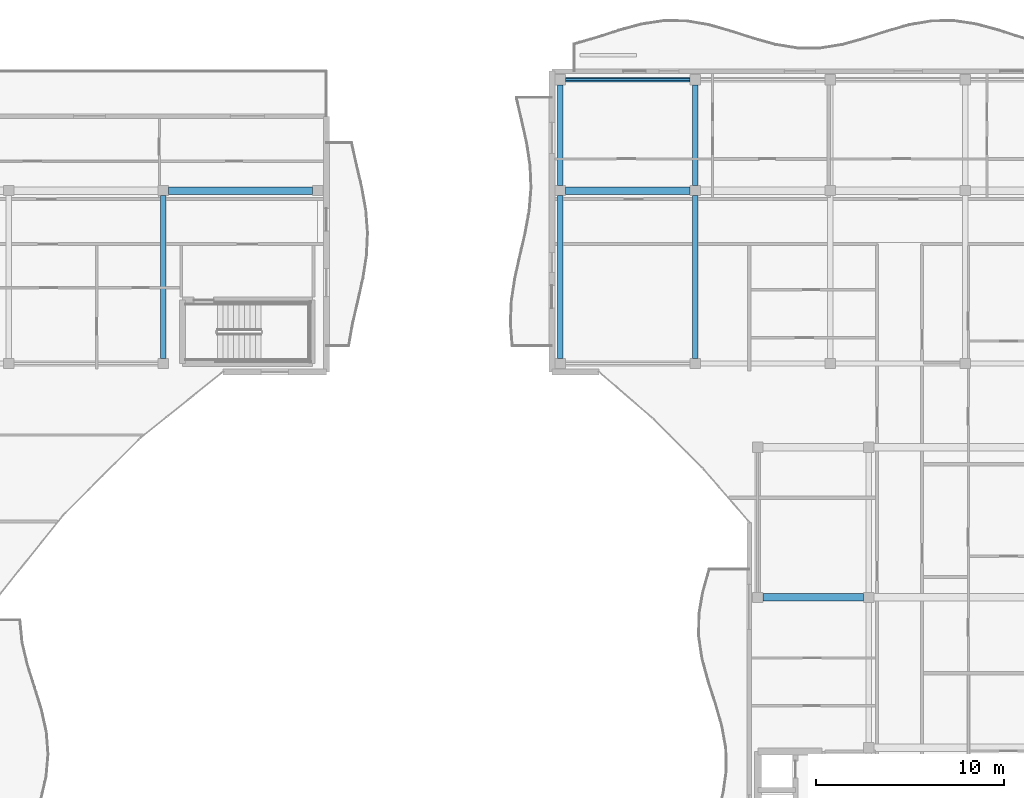
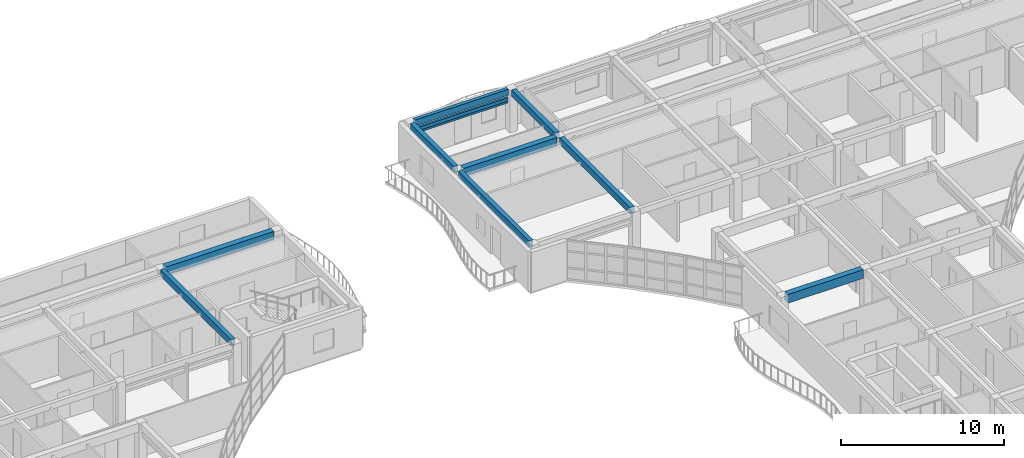
# One storey, part 10 of 68: 9 beams, 2 members.
"""IFC4 building model written with IfcOpenShell, lengths in metres."""

from ifc_helpers import new_model, si_unit, direction, frame, origin, origin_2d, place, context, subcontext, project, spatial, rectangle, hollow_rectangle, extrude, material, material_profile, profile_set, type_object, element, save


model = new_model("IFC4")

# Units and contexts
model_context = context("Model", 3, precision=1e-05, world=origin(), true_north=direction((0.0, 1.0)))
body_context = subcontext(model_context, "Body", "Model", "MODEL_VIEW")
ifc_project = project(units=[si_unit("LENGTHUNIT", "METRE"), si_unit("AREAUNIT", "SQUARE_METRE"), si_unit("VOLUMEUNIT", "CUBIC_METRE"), si_unit("PLANEANGLEUNIT", "RADIAN"), si_unit("MASSUNIT", "GRAM", prefix="KILO")], contexts=[model_context])

# Site, building, storey
site_placement = place(None, origin())
site = spatial("IfcSite", under=ifc_project, at=site_placement, CompositionType="ELEMENT")
building_placement = place(site_placement, origin())
building = spatial("IfcBuilding", under=site, at=building_placement, Name="Keldmere Railside Commons", CompositionType="ELEMENT")
storey_placement = place(building_placement, frame((0.0, 0.0, 23.360107421875)))
storey = spatial("IfcBuildingStorey", under=building, at=storey_placement, Name="L07", CompositionType="ELEMENT", Elevation=23.360107421875)

# Member
ifc_material_1 = material(Name="Steel F-36 (S355)", Category="steel")
ifc_material_profile_1 = material_profile(ifc_material_1, hollow_rectangle(XDim=0.14990234375, YDim=0.25, WallThickness=0.010009765625, at=origin_2d()), Name="RHS-250x150x10")
ifc_profile_set_1 = profile_set([ifc_material_profile_1], Name="Steel F-36 (S355)")
member_type_1 = type_object("IfcMemberType", Name="Balcony Continuous Planted Trough RHS250x150", PredefinedType="CHORD", material=ifc_profile_set_1)
member_1_placement = place(storey_placement, frame((94.22509765625, 115.550048828125, 2.414794921875), z_axis=(1.0, 0.0, 0.0), x_axis=(0.0, 1.0, 0.0)))
element("IfcMember", 1, at=member_1_placement, inside=storey, type_object=member_type_1, Name="PLT-1 MEM-BPLT-0811", PredefinedType="CHORD", context=body_context, shape_type="SweptSolid", body=[
    extrude(hollow_rectangle(XDim=0.14990234375, YDim=0.25, WallThickness=0.010009765625, at=origin_2d()), origin(), (0.0, 0.0, 1.0), 6.6328125),
])

# Beams
ifc_material_2 = material(Name="Architectural Precast Concrete H-35 (C35/45)", Category="concrete")
ifc_material_profile_2 = material_profile(ifc_material_2, rectangle(XDim=0.25, YDim=0.449951171875, at=origin_2d()), Name="RC-250x450")
ifc_profile_set_2 = profile_set([ifc_material_profile_2], Name="Architectural Precast Concrete H-35 (C35/45)")
beam_type_1 = type_object("IfcBeamType", Name="Perimeter Precast Spandrel Beam 250x450", PredefinedType="SPANDREL", material=ifc_profile_set_2)
beam_1_placement = place(storey_placement, frame((94.22509765625, 115.550048828125, 2.974853515625), z_axis=(1.0, 0.0, 0.0), x_axis=(0.0, 1.0, 0.0)))
element("IfcBeam", 2, at=beam_1_placement, inside=storey, type_object=beam_type_1, Name="SPB-1 BM-L07-2083", PredefinedType="SPANDREL", context=body_context, shape_type="SweptSolid", body=[
    extrude(rectangle(XDim=0.25, YDim=0.449951171875, at=origin_2d()), origin(), (0.0, 0.0, 1.0), 6.6328125),
])
ifc_material_3 = material(Name="Concrete H-30 (C30/37)", Category="concrete")
ifc_material_profile_3 = material_profile(ifc_material_3, rectangle(XDim=0.39990234375, YDim=0.64990234375, at=origin_2d()), Name="RC-400x650")
ifc_profile_set_3 = profile_set([ifc_material_profile_3], Name="Concrete H-30 (C30/37)")
beam_type_2 = type_object("IfcBeamType", Name="Residential Spine RC Girder 400x650", PredefinedType="BEAM", material=ifc_profile_set_3)
beam_2_placement = place(storey_placement, frame((104.72509765625, 88.0, 2.875), z_axis=(1.0, 0.0, 0.0), x_axis=(0.0, 1.0, 0.0)))
element("IfcBeam", 3, at=beam_2_placement, inside=storey, type_object=beam_type_2, Name="BG-3 BM-L07-2042", PredefinedType="BEAM", context=body_context, shape_type="SweptSolid", body=[
    extrude(rectangle(XDim=0.39990234375, YDim=0.64990234375, at=origin_2d()), origin(), (0.0, 0.0, 1.0), 5.349853515625),
])
beam_3_placement = place(storey_placement, frame((73.10498046875, 109.64990234375, 2.875), z_axis=(1.0, 0.0, 0.0), x_axis=(0.0, 1.0, 0.0)))
element("IfcBeam", 4, at=beam_3_placement, inside=storey, type_object=beam_type_2, Name="BG-3 BM-L07-2071", PredefinedType="BEAM", context=body_context, shape_type="SweptSolid", body=[
    extrude(rectangle(XDim=0.39990234375, YDim=0.64990234375, at=origin_2d()), origin(), (0.0, 0.0, 1.0), 7.669921875),
])
beam_4_placement = place(storey_placement, frame((94.22509765625, 109.64990234375, 2.875), z_axis=(1.0, 0.0, 0.0), x_axis=(0.0, 1.0, 0.0)))
element("IfcBeam", 5, at=beam_4_placement, inside=storey, type_object=beam_type_2, Name="BG-3 BM-L07-2072", PredefinedType="BEAM", context=body_context, shape_type="SweptSolid", body=[
    extrude(rectangle(XDim=0.39990234375, YDim=0.64990234375, at=origin_2d()), origin(), (0.0, 0.0, 1.0), 6.6328125),
])
ifc_material_profile_4 = material_profile(ifc_material_3, rectangle(XDim=0.300048828125, YDim=0.5, at=origin_2d()), Name="RC-300x500")
ifc_profile_set_4 = profile_set([ifc_material_profile_4], Name="Concrete H-30 (C30/37)")
beam_type_3 = type_object("IfcBeamType", Name="Secondary Frame RC Beam 300x500", PredefinedType="BEAM", material=ifc_profile_set_4)
for number, where, z_axis, x_axis, name in (
    (6, (72.830078125, 100.72509765625, 2.949951171875), (0.0, 1.0, 0.0), (-1.0, 0.0, 0.0), "BG-5 BM-L07-2116"),
    (7, (93.949951171875, 100.72509765625, 2.949951171875), (0.0, 1.0, 0.0), (-1.0, 0.0, 0.0), "BG-5 BM-L07-2117"),
):
    element("IfcBeam", number, at=place(storey_placement, frame(where, z_axis=z_axis, x_axis=x_axis)), inside=storey, type_object=beam_type_3, Name=name, PredefinedType="BEAM", context=body_context, shape_type="SweptSolid", body=[
        extrude(rectangle(XDim=0.300048828125, YDim=0.5, at=origin_2d()), origin(), (0.0, 0.0, 1.0), 8.64990234375),
    ])
beam_5_placement = place(storey_placement, frame((93.949951171875, 109.925048828125, 2.949951171875), z_axis=(0.0, 1.0, 0.0), x_axis=(-1.0, 0.0, 0.0)))
element("IfcBeam", 8, at=beam_5_placement, inside=storey, type_object=beam_type_3, Name="BG-5 BM-L07-2118", PredefinedType="BEAM", context=body_context, shape_type="SweptSolid", body=[
    extrude(rectangle(XDim=0.300048828125, YDim=0.5, at=origin_2d()), origin(), (0.0, 0.0, 1.0), 5.349853515625),
])
beam_6_placement = place(storey_placement, frame((101.133056640625, 100.72509765625, 2.949951171875), z_axis=(0.0, 1.0, 0.0), x_axis=(-1.0, 0.0, 0.0)))
element("IfcBeam", 9, at=beam_6_placement, inside=storey, type_object=beam_type_3, Name="BG-5 BM-L07-2119", PredefinedType="BEAM", context=body_context, shape_type="SweptSolid", body=[
    extrude(rectangle(XDim=0.300048828125, YDim=0.5, at=origin_2d()), origin(), (0.0, 0.0, 1.0), 8.64990234375),
])
beam_7_placement = place(storey_placement, frame((101.133056640625, 109.925048828125, 2.949951171875), z_axis=(0.0, 1.0, 0.0), x_axis=(-1.0, 0.0, 0.0)))
element("IfcBeam", 10, at=beam_7_placement, inside=storey, type_object=beam_type_3, Name="BG-5 BM-L07-2120", PredefinedType="BEAM", context=body_context, shape_type="SweptSolid", body=[
    extrude(rectangle(XDim=0.300048828125, YDim=0.5, at=origin_2d()), origin(), (0.0, 0.0, 1.0), 5.349853515625),
])

# Member
ifc_material_profile_5 = material_profile(ifc_material_1, hollow_rectangle(XDim=0.10009765625, YDim=0.159912109375, WallThickness=0.008056640625, at=origin_2d()), Name="RHS-160x100x8")
ifc_profile_set_5 = profile_set([ifc_material_profile_5], Name="Steel F-36 (S355)")
member_type_2 = type_object("IfcMemberType", Name="Solar Brise-Soleil Louvre Fin RHS160x100", PredefinedType="STRUT", material=ifc_profile_set_5)
member_2_placement = place(storey_placement, frame((94.22509765625, 115.550048828125, 2.199951171875), z_axis=(1.0, 0.0, 0.0), x_axis=(0.0, 1.0, 0.0)))
element("IfcMember", 11, at=member_2_placement, inside=storey, type_object=member_type_2, Name="BSF-1 MEM-BSF-0812", PredefinedType="STRUT", context=body_context, shape_type="SweptSolid", body=[
    extrude(hollow_rectangle(XDim=0.10009765625, YDim=0.159912109375, WallThickness=0.008056640625, at=origin_2d()), origin(), (0.0, 0.0, 1.0), 6.6328125),
])

save(model, "model.ifc")
